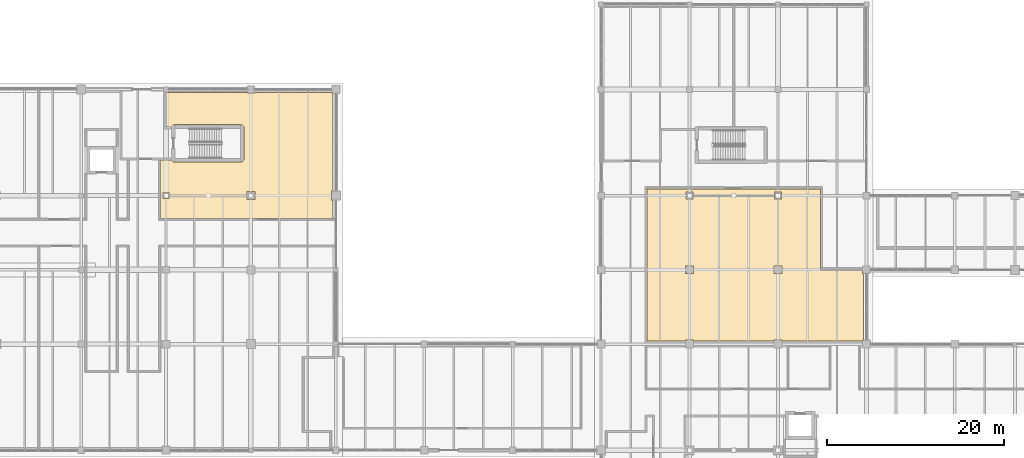
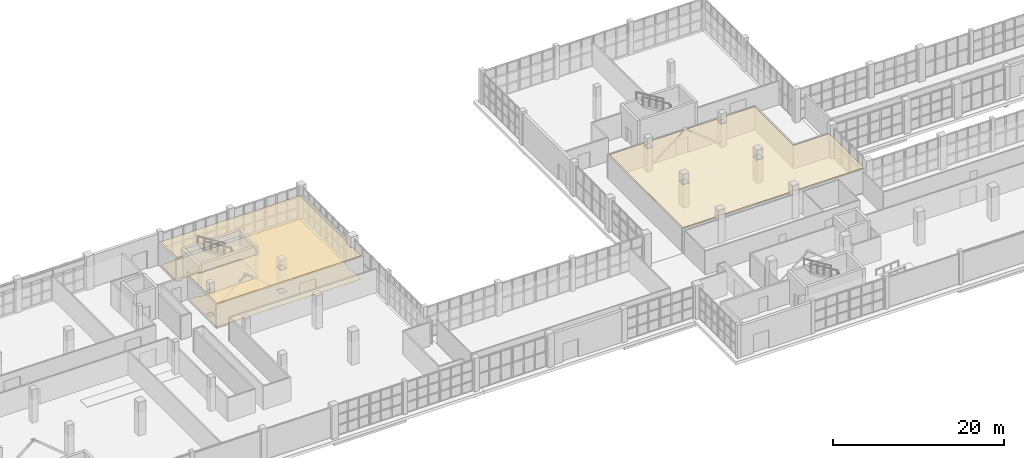
# One storey, part 116 of 121: 3 coverings.
"""IFC4 building model written with IfcOpenShell, lengths in metres."""

from ifc_helpers import new_model, si_unit, direction, frame, origin, place, context, subcontext, project, spatial, polyline, outline, extrude, material, layer, layer_set, type_object, element, save


model = new_model("IFC4")

# Units and contexts
model_context = context("Model", 3, precision=1e-05, world=origin(), true_north=direction((0.0, 1.0)))
body_context = subcontext(model_context, "Body", "Model", "MODEL_VIEW")
ifc_project = project(units=[si_unit("LENGTHUNIT", "METRE"), si_unit("AREAUNIT", "SQUARE_METRE"), si_unit("VOLUMEUNIT", "CUBIC_METRE"), si_unit("PLANEANGLEUNIT", "RADIAN"), si_unit("MASSUNIT", "GRAM", prefix="KILO")], contexts=[model_context])

# Site, building, storey
site_placement = place(None, origin())
site = spatial("IfcSite", under=ifc_project, at=site_placement, CompositionType="ELEMENT")
building_placement = place(site_placement, origin())
building = spatial("IfcBuilding", under=site, at=building_placement, Name="Zereglee Splitstone Museum", CompositionType="ELEMENT")
storey_placement = place(building_placement, origin())
storey = spatial("IfcBuildingStorey", under=building, at=storey_placement, Name="L00", CompositionType="ELEMENT", Elevation=0.0)

# Coverings
ifc_material_1 = material(Name="Perforated acoustic gypsum board ceiling", Category="masonry")
ifc_layer_1 = layer(ifc_material_1, 0.044921875)
ifc_layer_set_1 = layer_set([ifc_layer_1], Name="Perforated acoustic gypsum board ceiling")
covering_type_1 = type_object("IfcCoveringType", Name="CLG-02", PredefinedType="CEILING", material=ifc_layer_set_1)
covering_1_placement = place(storey_placement, frame((0.0, 0.0, 3.3349609375)))
element("IfcCovering", 1, at=covering_1_placement, inside=storey, type_object=covering_type_1, Name="Acoustic Ceiling L00-014", PredefinedType="CEILING", context=body_context, shape_type="SweptSolid", body=[
    extrude(outline(polyline([(180.3798828125, 39.169921875), (200.02001953125, 39.169921875), (200.02001953125, 30.199951171875), (200.02001953125, 30.198974609375), (200.020751953125, 30.183349609375), (200.02099609375, 30.181396484375), (200.023193359375, 30.166015625), (200.023681640625, 30.163818359375), (200.027587890625, 30.148681640625), (200.028076171875, 30.146728515625), (200.033203125, 30.132080078125), (200.0341796875, 30.130126953125), (200.040771484375, 30.115966796875), (200.041748046875, 30.1142578125), (200.0498046875, 30.100830078125), (200.05078125, 30.09912109375), (200.060302734375, 30.086669921875), (200.0615234375, 30.085205078125), (200.072021484375, 30.073486328125), (200.073486328125, 30.072021484375), (200.085205078125, 30.0615234375), (200.086669921875, 30.060302734375), (200.09912109375, 30.05078125), (200.100830078125, 30.0498046875), (200.1142578125, 30.041748046875), (200.115966796875, 30.040771484375), (200.130126953125, 30.0341796875), (200.132080078125, 30.033203125), (200.146728515625, 30.028076171875), (200.148681640625, 30.027587890625), (200.163818359375, 30.023681640625), (200.166015625, 30.023193359375), (200.181396484375, 30.02099609375), (200.183349609375, 30.020751953125), (200.198974609375, 30.02001953125), (200.199951171875, 30.02001953125), (204.76708984375, 30.02001953125), (204.76708984375, 29.56689453125), (204.860107421875, 29.56689453125), (204.860107421875, 22.05810546875), (204.741943359375, 22.05810546875), (204.741943359375, 21.93994140625), (195.657958984375, 21.93994140625), (195.657958984375, 22.05810546875), (194.741943359375, 22.05810546875), (194.741943359375, 21.93994140625), (185.657958984375, 21.93994140625), (185.657958984375, 22.05810546875), (184.741943359375, 22.05810546875), (184.741943359375, 21.93994140625), (180.3798828125, 21.93994140625), (180.3798828125, 39.169921875)]), holes=[polyline([(194.76708984375, 30.43310546875), (194.76708984375, 29.56689453125), (195.633056640625, 29.56689453125), (195.633056640625, 30.43310546875), (194.76708984375, 30.43310546875)]), polyline([(185.633056640625, 30.43310546875), (184.76708984375, 30.43310546875), (184.76708984375, 29.56689453125), (185.633056640625, 29.56689453125), (185.633056640625, 30.43310546875)]), polyline([(194.81689453125, 38.782958984375), (194.81689453125, 38.01708984375), (195.5830078125, 38.01708984375), (195.5830078125, 38.782958984375), (194.81689453125, 38.782958984375)]), polyline([(185.5830078125, 38.782958984375), (184.81689453125, 38.782958984375), (184.81689453125, 38.01708984375), (185.5830078125, 38.01708984375), (185.5830078125, 38.782958984375)])]), origin(), (0.0, 0.0, 1.0), 0.044921875),
])
ifc_material_2 = material(Name="Siberian larch acoustic timber ceiling", Category="wood")
ifc_layer_2 = layer(ifc_material_2, 0.06005859375)
ifc_layer_set_2 = layer_set([ifc_layer_2], Name="Siberian larch acoustic timber ceiling")
covering_type_2 = type_object("IfcCoveringType", Name="CLG-01", PredefinedType="CEILING", material=ifc_layer_set_2)
covering_2_placement = place(storey_placement, frame((0.0, 0.0, 3.320068359375)))
element("IfcCovering", 2, at=covering_2_placement, inside=storey, type_object=covering_type_2, Name="Acoustic Ceiling L00-007", PredefinedType="CEILING", context=body_context, shape_type="SweptSolid", body=[
    extrude(outline(polyline([(125.97998046875, 50.06005859375), (135.217041015625, 50.06005859375), (135.217041015625, 50.01708984375), (135.98291015625, 50.01708984375), (135.98291015625, 50.06005859375), (144.741943359375, 50.06005859375), (144.741943359375, 49.94189453125), (144.860107421875, 49.94189453125), (144.860107421875, 38.907958984375), (144.69189453125, 38.907958984375), (144.69189453125, 37.89208984375), (144.860107421875, 37.89208984375), (144.860107421875, 35.830078125), (125.3798828125, 35.830078125), (125.3798828125, 42.419921875), (126.62109375, 42.419921875), (126.629638671875, 42.402099609375), (126.65087890625, 42.36669921875), (126.67529296875, 42.33349609375), (126.702880859375, 42.302978515625), (126.733642578125, 42.275390625), (126.7666015625, 42.250732421875), (126.802001953125, 42.2294921875), (126.83935546875, 42.2119140625), (126.878173828125, 42.197998046875), (126.918212890625, 42.18798828125), (126.958740234375, 42.181884765625), (127.0, 42.179931640625), (134.39990234375, 42.179931640625), (134.441162109375, 42.181884765625), (134.48193359375, 42.18798828125), (134.52197265625, 42.197998046875), (134.560791015625, 42.2119140625), (134.597900390625, 42.2294921875), (134.63330078125, 42.250732421875), (134.66650390625, 42.275390625), (134.697021484375, 42.302978515625), (134.724609375, 42.33349609375), (134.749267578125, 42.36669921875), (134.7705078125, 42.402099609375), (134.7880859375, 42.439208984375), (134.802001953125, 42.47802734375), (134.81201171875, 42.51806640625), (134.818115234375, 42.558837890625), (134.820068359375, 42.60009765625), (134.820068359375, 46.0), (134.818115234375, 46.041259765625), (134.81201171875, 46.081787109375), (134.802001953125, 46.121826171875), (134.7880859375, 46.16064453125), (134.7705078125, 46.197998046875), (134.749267578125, 46.2333984375), (134.724609375, 46.266357421875), (134.697021484375, 46.297119140625), (134.66650390625, 46.32470703125), (134.63330078125, 46.34912109375), (134.597900390625, 46.370361328125), (134.560791015625, 46.387939453125), (134.52197265625, 46.40185546875), (134.48193359375, 46.411865234375), (134.441162109375, 46.41796875), (134.39990234375, 46.419921875), (127.0, 46.419921875), (126.958740234375, 46.41796875), (126.918212890625, 46.411865234375), (126.878173828125, 46.40185546875), (126.83935546875, 46.387939453125), (126.802001953125, 46.370361328125), (126.7666015625, 46.34912109375), (126.733642578125, 46.32470703125), (126.702880859375, 46.297119140625), (126.67529296875, 46.266357421875), (126.65087890625, 46.2333984375), (126.629638671875, 46.197998046875), (126.62109375, 46.179931640625), (125.97998046875, 46.179931640625), (125.97998046875, 50.06005859375)]), holes=[polyline([(135.1669921875, 38.8330078125), (135.1669921875, 37.967041015625), (136.032958984375, 37.967041015625), (136.032958984375, 38.8330078125), (135.1669921875, 38.8330078125)]), polyline([(125.64208984375, 38.758056640625), (125.64208984375, 38.0419921875), (126.35791015625, 38.0419921875), (126.35791015625, 38.758056640625), (125.64208984375, 38.758056640625)])]), origin(), (0.0, 0.0, 1.0), 0.059814453125),
])
ifc_material_3 = material(Name="Honed Gobi granite terrazzo flooring", Category="masonry")
ifc_layer_3 = layer(ifc_material_3, 0.030029296875)
ifc_layer_set_3 = layer_set([ifc_layer_3], Name="Honed Gobi granite terrazzo flooring")
covering_type_3 = type_object("IfcCoveringType", Name="FLR-01", PredefinedType="FLOORING", material=ifc_layer_set_3)
covering_3_placement = place(storey_placement, origin())
element("IfcCovering", 3, at=covering_3_placement, inside=storey, type_object=covering_type_3, Name="Terrazzo Gallery Flooring L00-004", PredefinedType="FLOORING", context=body_context, shape_type="SweptSolid", body=[
    extrude(outline(polyline([(125.97998046875, 50.06005859375), (135.217041015625, 50.06005859375), (135.217041015625, 50.01708984375), (135.98291015625, 50.01708984375), (135.98291015625, 50.06005859375), (144.741943359375, 50.06005859375), (144.741943359375, 49.94189453125), (144.860107421875, 49.94189453125), (144.860107421875, 38.907958984375), (144.69189453125, 38.907958984375), (144.69189453125, 37.89208984375), (144.860107421875, 37.89208984375), (144.860107421875, 35.830078125), (125.3798828125, 35.830078125), (125.3798828125, 42.419921875), (126.62109375, 42.419921875), (126.629638671875, 42.402099609375), (126.65087890625, 42.36669921875), (126.67529296875, 42.33349609375), (126.702880859375, 42.302978515625), (126.733642578125, 42.275390625), (126.7666015625, 42.250732421875), (126.802001953125, 42.2294921875), (126.83935546875, 42.2119140625), (126.878173828125, 42.197998046875), (126.918212890625, 42.18798828125), (126.958740234375, 42.181884765625), (127.0, 42.179931640625), (134.39990234375, 42.179931640625), (134.441162109375, 42.181884765625), (134.48193359375, 42.18798828125), (134.52197265625, 42.197998046875), (134.560791015625, 42.2119140625), (134.597900390625, 42.2294921875), (134.63330078125, 42.250732421875), (134.66650390625, 42.275390625), (134.697021484375, 42.302978515625), (134.724609375, 42.33349609375), (134.749267578125, 42.36669921875), (134.7705078125, 42.402099609375), (134.7880859375, 42.439208984375), (134.802001953125, 42.47802734375), (134.81201171875, 42.51806640625), (134.818115234375, 42.558837890625), (134.820068359375, 42.60009765625), (134.820068359375, 46.0), (134.818115234375, 46.041259765625), (134.81201171875, 46.081787109375), (134.802001953125, 46.121826171875), (134.7880859375, 46.16064453125), (134.7705078125, 46.197998046875), (134.749267578125, 46.2333984375), (134.724609375, 46.266357421875), (134.697021484375, 46.297119140625), (134.66650390625, 46.32470703125), (134.63330078125, 46.34912109375), (134.597900390625, 46.370361328125), (134.560791015625, 46.387939453125), (134.52197265625, 46.40185546875), (134.48193359375, 46.411865234375), (134.441162109375, 46.41796875), (134.39990234375, 46.419921875), (127.0, 46.419921875), (126.958740234375, 46.41796875), (126.918212890625, 46.411865234375), (126.878173828125, 46.40185546875), (126.83935546875, 46.387939453125), (126.802001953125, 46.370361328125), (126.7666015625, 46.34912109375), (126.733642578125, 46.32470703125), (126.702880859375, 46.297119140625), (126.67529296875, 46.266357421875), (126.65087890625, 46.2333984375), (126.629638671875, 46.197998046875), (126.62109375, 46.179931640625), (125.97998046875, 46.179931640625), (125.97998046875, 50.06005859375)]), holes=[polyline([(135.1669921875, 38.8330078125), (135.1669921875, 37.967041015625), (136.032958984375, 37.967041015625), (136.032958984375, 38.8330078125), (135.1669921875, 38.8330078125)]), polyline([(125.64208984375, 38.758056640625), (125.64208984375, 38.0419921875), (126.35791015625, 38.0419921875), (126.35791015625, 38.758056640625), (125.64208984375, 38.758056640625)])]), origin(), (0.0, 0.0, 1.0), 0.030029296875),
])

save(model, "model.ifc")
